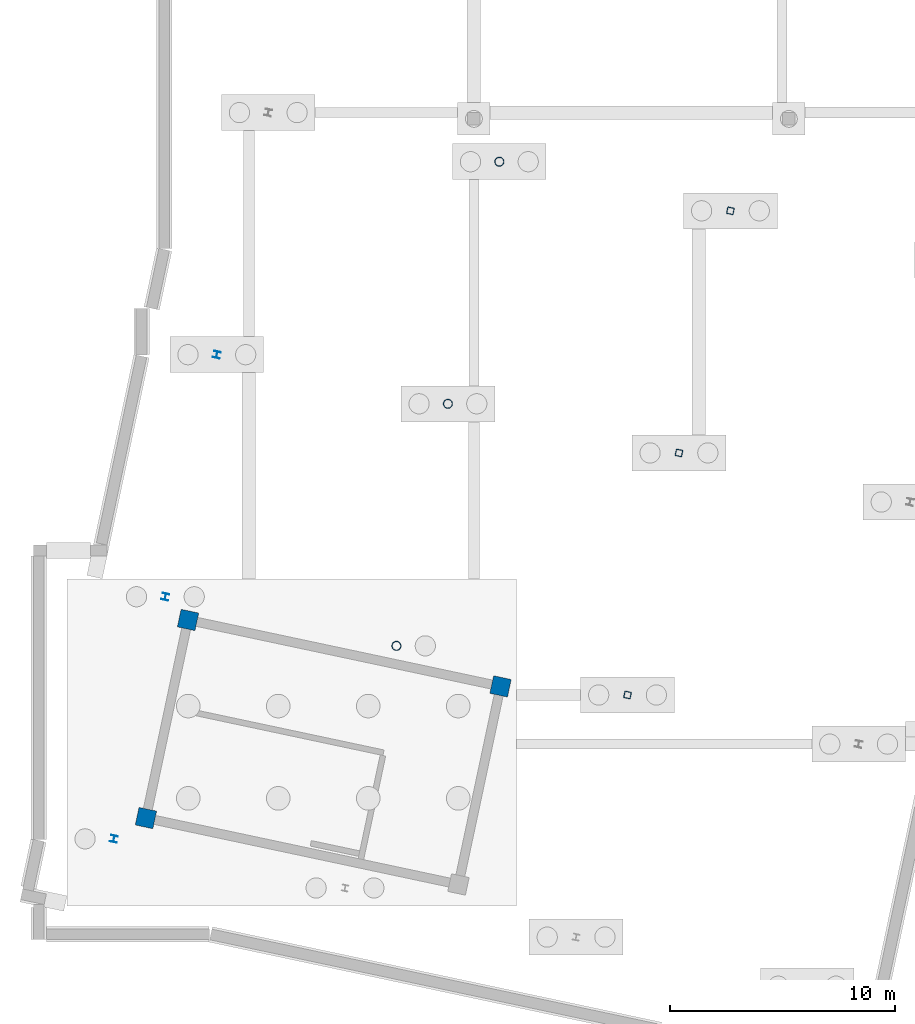
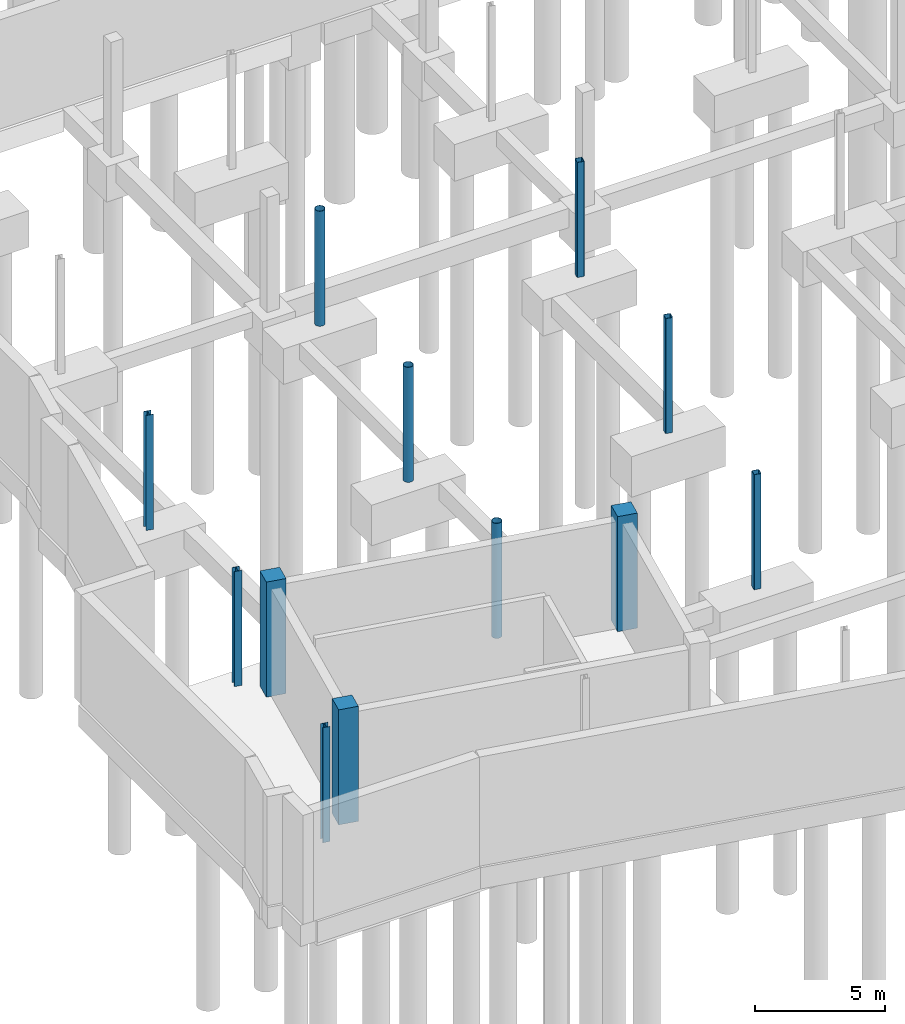
# One storey, part 25 of 65: 12 columns.
"""IFC4 building model written with IfcOpenShell, lengths in metres."""

from ifc_helpers import new_model, si_unit, direction, frame, origin, origin_2d, place, context, subcontext, project, spatial, rectangle, hollow_rectangle, hollow_circle, i_section, extrude, material, material_profile, profile_set, type_object, element, save


model = new_model("IFC4")

# Units and contexts
model_context = context("Model", 3, precision=1e-05, world=origin(), true_north=direction((0.0, 1.0)))
body_context = subcontext(model_context, "Body", "Model", "MODEL_VIEW")
ifc_project = project(units=[si_unit("LENGTHUNIT", "METRE"), si_unit("AREAUNIT", "SQUARE_METRE"), si_unit("VOLUMEUNIT", "CUBIC_METRE"), si_unit("PLANEANGLEUNIT", "RADIAN"), si_unit("MASSUNIT", "GRAM", prefix="KILO")], contexts=[model_context])

# Site, building, storey
site_placement = place(None, origin())
site = spatial("IfcSite", under=ifc_project, at=site_placement, CompositionType="ELEMENT")
building_placement = place(site_placement, origin())
building = spatial("IfcBuilding", under=site, at=building_placement, Name="Khorjan Park Terminus", CompositionType="ELEMENT")
storey_placement = place(building_placement, frame((0.0, 0.0, -5.4)))
storey = spatial("IfcBuildingStorey", under=building, at=storey_placement, Name="B1", CompositionType="ELEMENT", Elevation=-5.4)

# Columns
ifc_material_1 = material(Name="Steel S355", Category="steel")
ifc_material_profile_1 = material_profile(ifc_material_1, i_section(OverallWidth=0.3, OverallDepth=0.3, WebThickness=0.011, FlangeThickness=0.019, FilletRadius=0.027, at=origin_2d()), Name="HEB 300")
ifc_profile_set_1 = profile_set([ifc_material_profile_1], Name="Steel S355")
column_type_1 = type_object("IfcColumnType", Name="COL-HB300E", PredefinedType="COLUMN", material=ifc_profile_set_1)
for number, where, z_axis, x_axis, name in (
    (1, (-6.0, 42.0, 0.0), (0.0, 0.0, 1.0), (0.978147600734, -0.207911690818, 0.0), "Structural column SC-H30 (B1 #596)"),
    (2, (-3.713, 52.76, 0.0), (0.0, 0.0, 1.0), (0.978147600734, -0.207911690818, 0.0), "Structural column SC-H30 (B1 #599)"),
    (3, (-1.426, 63.519, 0.0), (0.0, 0.0, 1.0), (0.978147600734, -0.207911690818, 0.0), "Structural column SC-H30 (B1 #602)"),
):
    element("IfcColumn", number, at=place(storey_placement, frame(where, z_axis=z_axis, x_axis=x_axis)), inside=storey, type_object=column_type_1, Name=name, PredefinedType="COLUMN", context=body_context, shape_type="SweptSolid", body=[
        extrude(i_section(OverallWidth=0.3, OverallDepth=0.3, WebThickness=0.011, FlangeThickness=0.019, FilletRadius=0.027, at=origin_2d()), origin(), (0.0, 0.0, 1.0), 5.4),
    ])
ifc_material_2 = material(Name="Concrete C40/50", Category="concrete")
ifc_material_profile_2 = material_profile(ifc_material_2, rectangle(XDim=0.8, YDim=0.8, at=origin_2d()), Name="RC 800x800")
ifc_profile_set_2 = profile_set([ifc_material_profile_2], Name="Concrete C40/50")
column_type_2 = type_object("IfcColumnType", Name="COL-RC800", PredefinedType="COLUMN", material=ifc_profile_set_2)
for number, where, z_axis, x_axis, name in (
    (4, (-4.577, 42.924, 0.0), (0.0, 0.0, 1.0), (0.978147600734, -0.207911690818, 0.0), "Structural column C-RC08 (B1 #1061)"),
    (5, (11.184, 48.775, 0.0), (0.0, 0.0, 1.0), (0.978147600734, -0.207911690818, 0.0), "Structural column C-RC08 (B1 #1063)"),
    (6, (-2.705, 51.728, 0.0), (0.0, 0.0, 1.0), (0.978147600734, -0.207911690818, 0.0), "Structural column C-RC08 (B1 #1064)"),
):
    element("IfcColumn", number, at=place(storey_placement, frame(where, z_axis=z_axis, x_axis=x_axis)), inside=storey, type_object=column_type_2, Name=name, PredefinedType="COLUMN", context=body_context, shape_type="SweptSolid", body=[
        extrude(rectangle(XDim=0.8, YDim=0.8, at=origin_2d()), origin(), (0.0, 0.0, 1.0), 5.4),
    ])
ifc_material_profile_3 = material_profile(ifc_material_1, hollow_circle(Radius=0.2032, WallThickness=0.016, at=origin_2d()), Name="CHS 406.4x16")
ifc_profile_set_3 = profile_set([ifc_material_profile_3], Name="Steel S355")
column_type_3 = type_object("IfcColumnType", Name="COL-SH406", PredefinedType="COLUMN", material=ifc_profile_set_3)
for number, where, z_axis, x_axis, name in (
    (7, (6.558, 50.577, 0.0), (0.0, 0.0, 1.0), (0.978147600734, -0.207911690818, 0.0), "Structural column SC-41 (B1 #613)"),
    (8, (8.845, 61.336, 0.0), (0.0, 0.0, 1.0), (0.978147600734, -0.207911690818, 0.0), "Structural column SC-41 (B1 #616)"),
    (9, (11.132, 72.096, 0.0), (0.0, 0.0, 1.0), (0.978147600734, -0.207911690818, 0.0), "Structural column SC-41 (B1 #619)"),
):
    element("IfcColumn", number, at=place(storey_placement, frame(where, z_axis=z_axis, x_axis=x_axis)), inside=storey, type_object=column_type_3, Name=name, PredefinedType="COLUMN", context=body_context, shape_type="SweptSolid", body=[
        extrude(hollow_circle(Radius=0.2032, WallThickness=0.016, at=origin_2d()), origin(), (0.0, 0.0, 1.0), 5.4),
    ])
ifc_material_profile_4 = material_profile(ifc_material_1, hollow_rectangle(XDim=0.3, YDim=0.3, WallThickness=0.016, InnerFilletRadius=0.016, OuterFilletRadius=0.032, at=origin_2d()), Name="SHS 300x300x16")
ifc_profile_set_4 = profile_set([ifc_material_profile_4], Name="Steel S355")
column_type_4 = type_object("IfcColumnType", Name="COL-SHS300", PredefinedType="COLUMN", material=ifc_profile_set_4)
for number, where, z_axis, x_axis, name in (
    (10, (16.828, 48.394, 0.0), (0.0, 0.0, 1.0), (0.978147600734, -0.207911690818, 0.0), "Structural column SC-S30 (B1 #627)"),
    (11, (19.115, 59.153, 0.0), (0.0, 0.0, 1.0), (0.978147600734, -0.207911690818, 0.0), "Structural column SC-S30 (B1 #630)"),
    (12, (21.402, 69.913, 0.0), (0.0, 0.0, 1.0), (0.978147600734, -0.207911690818, 0.0), "Structural column SC-S30 (B1 #633)"),
):
    element("IfcColumn", number, at=place(storey_placement, frame(where, z_axis=z_axis, x_axis=x_axis)), inside=storey, type_object=column_type_4, Name=name, PredefinedType="COLUMN", context=body_context, shape_type="SweptSolid", body=[
        extrude(hollow_rectangle(XDim=0.3, YDim=0.3, WallThickness=0.016, InnerFilletRadius=0.016, OuterFilletRadius=0.032, at=origin_2d()), origin(), (0.0, 0.0, 1.0), 5.4),
    ])

save(model, "model.ifc")
